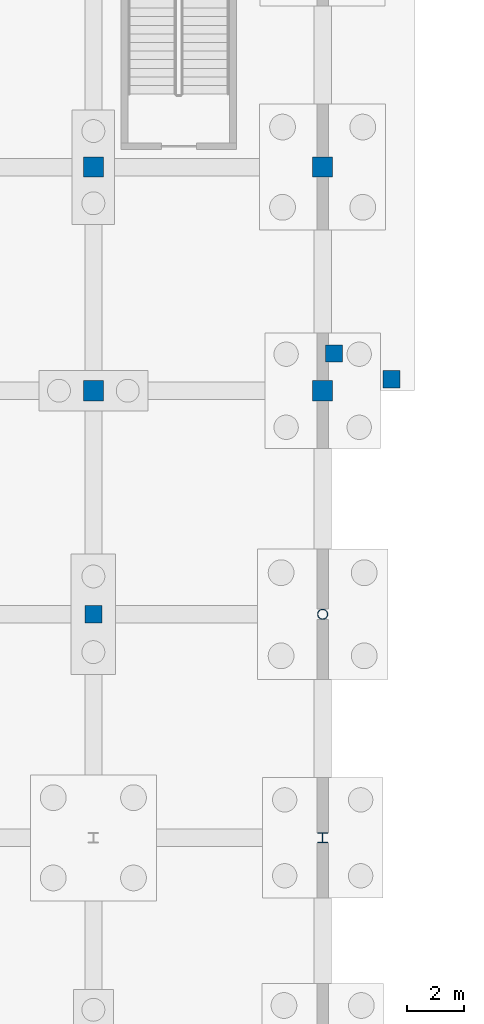
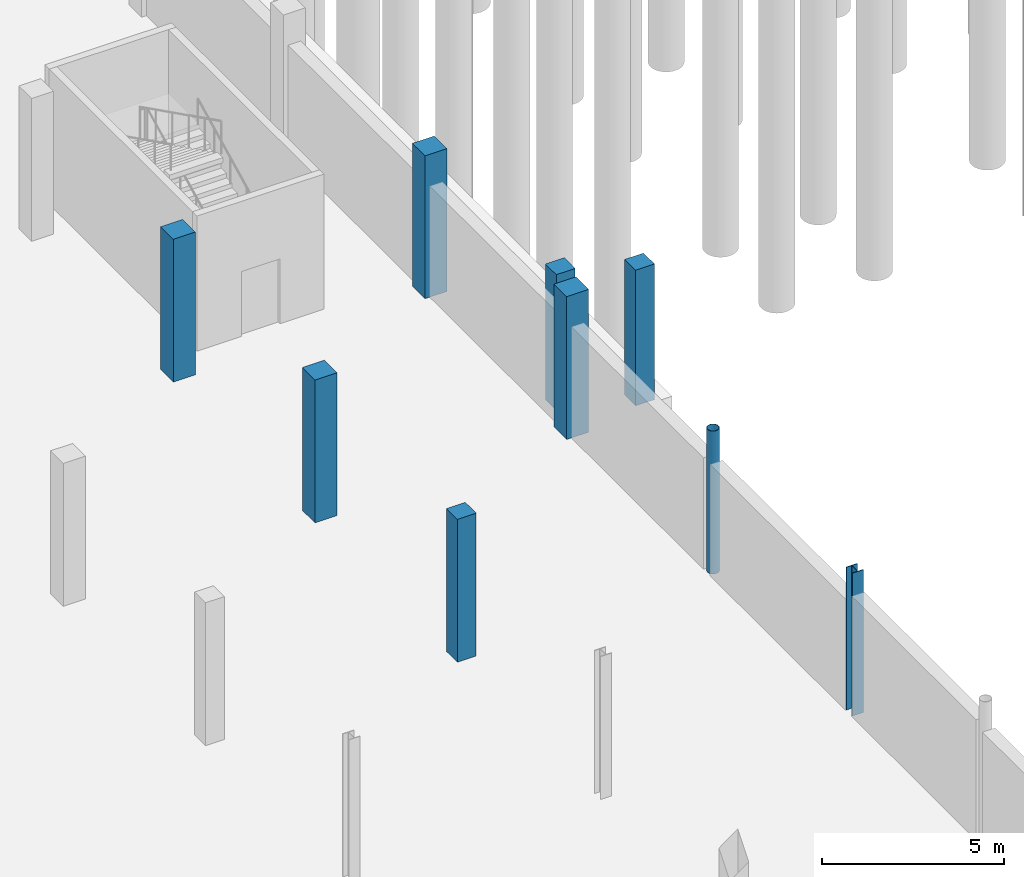
# One storey, part 21 of 44: 9 columns.
"""IFC4 building model written with IfcOpenShell, lengths in metres."""

from ifc_helpers import new_model, si_unit, direction, frame, origin, origin_2d, place, context, subcontext, project, spatial, rectangle, hollow_circle, i_section, extrude, material, material_profile, profile_set, type_object, element, save


model = new_model("IFC4")

# Units and contexts
model_context = context("Model", 3, precision=1e-05, world=origin(), true_north=direction((0.0, 1.0)))
body_context = subcontext(model_context, "Body", "Model", "MODEL_VIEW")
ifc_project = project(units=[si_unit("LENGTHUNIT", "METRE"), si_unit("AREAUNIT", "SQUARE_METRE"), si_unit("VOLUMEUNIT", "CUBIC_METRE"), si_unit("PLANEANGLEUNIT", "RADIAN"), si_unit("MASSUNIT", "GRAM", prefix="KILO")], contexts=[model_context])

# Site, building, storey
site_placement = place(None, origin())
site = spatial("IfcSite", under=ifc_project, at=site_placement, CompositionType="ELEMENT")
building_placement = place(site_placement, origin())
building = spatial("IfcBuilding", under=site, at=building_placement, Name="Yukiwa Park Conservatory and Herbarium", CompositionType="ELEMENT")
storey_placement = place(building_placement, frame((0.0, 0.0, -4.800048828125)))
storey = spatial("IfcBuildingStorey", under=building, at=storey_placement, Name="B1", CompositionType="ELEMENT", Elevation=-4.800048828125)

# Columns
ifc_material_1 = material(Name="Concrete C40", Category="concrete")
ifc_material_profile_1 = material_profile(ifc_material_1, rectangle(XDim=0.60009765625, YDim=0.60009765625, at=origin_2d()), Name="RC 600x600")
ifc_profile_set_1 = profile_set([ifc_material_profile_1], Name="Concrete C40")
column_type_1 = type_object("IfcColumnType", Name="COL-B1-RC600", PredefinedType="COLUMN", material=ifc_profile_set_1)
column_1_placement = place(storey_placement, frame((100.0, 39.0, 0.0), z_axis=(0.0, 0.0, 1.0), x_axis=(1.0, 0.0, 0.0)))
element("IfcColumn", 1, at=column_1_placement, inside=storey, type_object=column_type_1, Name="B1 column V2B-X1000-Y390", PredefinedType="COLUMN", context=body_context, shape_type="SweptSolid", body=[
    extrude(rectangle(XDim=0.60009765625, YDim=0.60009765625, at=origin_2d()), origin(), (0.0, 0.0, 1.0), 4.800048828125),
])
for number, where, z_axis, x_axis, name in (
    (2, (108.39990234375, 48.10400390625, 0.0), (0.0, 0.0, 1.0), (1.0, 0.0, 0.0), "Exterior frost apron pier 33"),
    (3, (110.39990234375, 47.199951171875, 0.0), (0.0, 0.0, 1.0), (1.0, 0.0, 0.0), "Exterior frost apron pier 34"),
):
    element("IfcColumn", number, at=place(storey_placement, frame(where, z_axis=z_axis, x_axis=x_axis)), inside=storey, type_object=column_type_1, Name=name, PredefinedType="COLUMN", context=body_context, shape_type="SweptSolid", body=[
        extrude(rectangle(XDim=0.60009765625, YDim=0.60009765625, at=origin_2d()), origin(), (0.0, 0.0, 1.0), 4.56005859375),
    ])
ifc_material_2 = material(Name="Concrete C50", Category="concrete")
ifc_material_profile_2 = material_profile(ifc_material_2, rectangle(XDim=0.699951171875, YDim=0.699951171875, at=origin_2d()), Name="RC 700x700")
ifc_profile_set_2 = profile_set([ifc_material_profile_2], Name="Concrete C50")
column_type_2 = type_object("IfcColumnType", Name="COL-B1-RC700", PredefinedType="COLUMN", material=ifc_profile_set_2)
for number, where, z_axis, x_axis, name in (
    (4, (100.0, 46.800048828125, 0.0), (0.0, 0.0, 1.0), (1.0, 0.0, 0.0), "B1 column V3-X1000-Y468"),
    (5, (100.0, 54.60009765625, 0.0), (0.0, 0.0, 1.0), (1.0, 0.0, 0.0), "B1 column V3-X1000-Y546"),
    (6, (108.0, 46.800048828125, 0.0), (0.0, 0.0, 1.0), (1.0, 0.0, 0.0), "B1 column V3-X1080-Y468"),
    (7, (108.0, 54.60009765625, 0.0), (0.0, 0.0, 1.0), (1.0, 0.0, 0.0), "B1 column V3-X1080-Y546"),
):
    element("IfcColumn", number, at=place(storey_placement, frame(where, z_axis=z_axis, x_axis=x_axis)), inside=storey, type_object=column_type_2, Name=name, PredefinedType="COLUMN", context=body_context, shape_type="SweptSolid", body=[
        extrude(rectangle(XDim=0.699951171875, YDim=0.699951171875, at=origin_2d()), origin(), (0.0, 0.0, 1.0), 4.800048828125),
    ])
ifc_material_3 = material(Name="Steel Q355D", Category="steel")
ifc_material_profile_3 = material_profile(ifc_material_3, hollow_circle(Radius=0.177734375, WallThickness=0.012451171875, at=origin_2d()), Name="CHS 355.6x12.5")
ifc_profile_set_3 = profile_set([ifc_material_profile_3], Name="Steel Q355D")
column_type_3 = type_object("IfcColumnType", Name="COL-CN-CHS356-INT", PredefinedType="COLUMN", material=ifc_profile_set_3)
column_2_placement = place(storey_placement, frame((108.0, 39.0, 0.0), z_axis=(0.0, 0.0, 1.0), x_axis=(1.0, 0.0, 0.0)))
element("IfcColumn", 8, at=column_2_placement, inside=storey, type_object=column_type_3, Name="B1 column V2-X1080-Y390", PredefinedType="COLUMN", context=body_context, shape_type="SweptSolid", body=[
    extrude(hollow_circle(Radius=0.177734375, WallThickness=0.012451171875, at=origin_2d()), origin(), (0.0, 0.0, 1.0), 4.800048828125),
])
ifc_material_4 = material(Name="Steel Q355D", Category="steel")
ifc_material_profile_4 = material_profile(ifc_material_4, i_section(OverallWidth=0.35009765625, OverallDepth=0.35009765625, WebThickness=0.011962890625, FlangeThickness=0.01904296875, FilletRadius=0.02001953125, at=origin_2d()), Name="HW 350x350x12x19")
ifc_profile_set_4 = profile_set([ifc_material_profile_4], Name="Steel Q355D")
column_type_4 = type_object("IfcColumnType", Name="COL-TW-HW350", PredefinedType="COLUMN", material=ifc_profile_set_4)
column_3_placement = place(storey_placement, frame((108.0, 31.199951171875, 0.0), z_axis=(0.0, 0.0, 1.0), x_axis=(1.0, 0.0, 0.0)))
element("IfcColumn", 9, at=column_3_placement, inside=storey, type_object=column_type_4, Name="B1 column V2-X1080-Y312", PredefinedType="COLUMN", context=body_context, shape_type="SweptSolid", body=[
    extrude(i_section(OverallWidth=0.35009765625, OverallDepth=0.35009765625, WebThickness=0.011962890625, FlangeThickness=0.01904296875, FilletRadius=0.02001953125, at=origin_2d()), origin(), (0.0, 0.0, 1.0), 4.800048828125),
])

save(model, "model.ifc")
